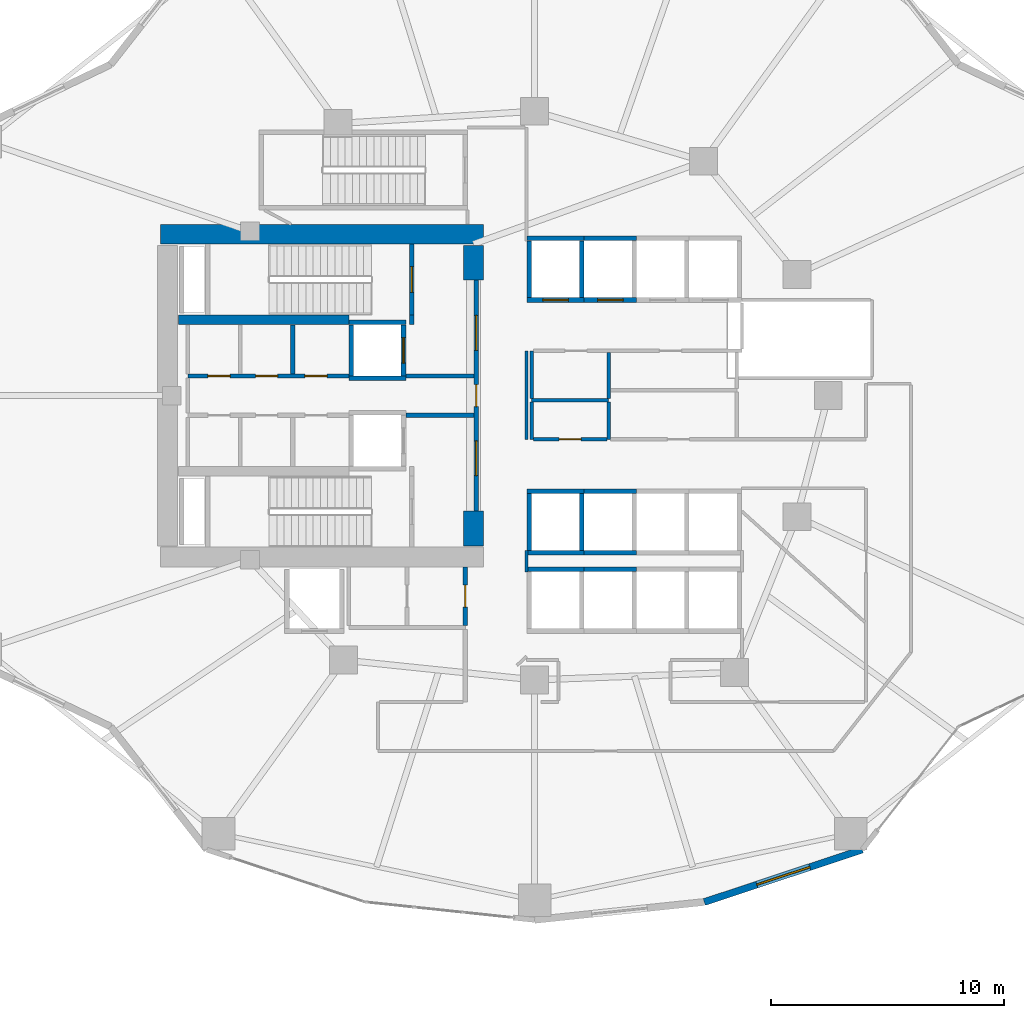
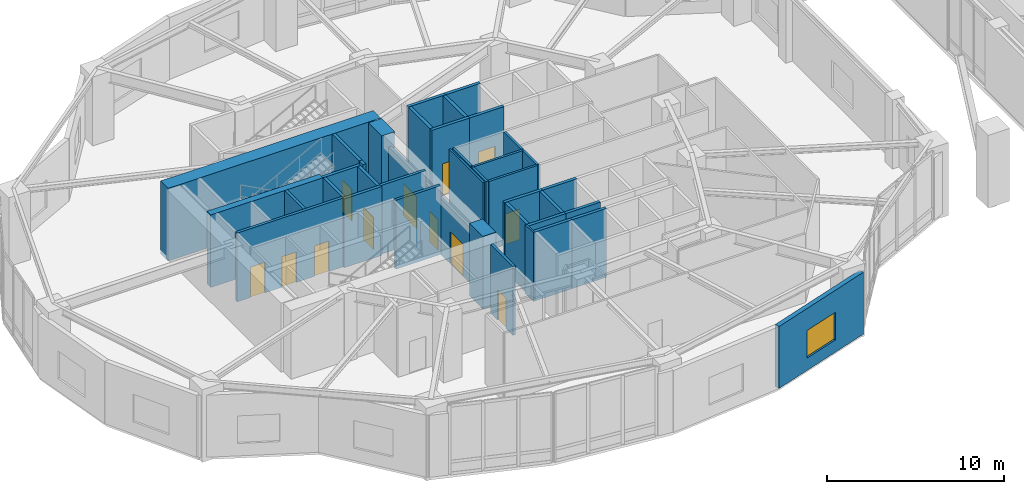
# One storey, part 12 of 21: 39 walls, 12 doors, 1 window, 13 openings.
"""IFC4 building model written with IfcOpenShell, lengths in metres."""

from ifc_helpers import new_model, si_unit, direction, frame, frame_2d, origin, place, context, subcontext, project, spatial, rectangle, extrude, material, layer, layer_set, type_object, element, fill, save


model = new_model("IFC4")

# Units and contexts
model_context = context("Model", 3, precision=1e-05, world=origin(), true_north=direction((0.0, 1.0)))
body_context = subcontext(model_context, "Body", "Model", "MODEL_VIEW")
ifc_project = project(units=[si_unit("LENGTHUNIT", "METRE"), si_unit("AREAUNIT", "SQUARE_METRE"), si_unit("VOLUMEUNIT", "CUBIC_METRE"), si_unit("PLANEANGLEUNIT", "RADIAN"), si_unit("MASSUNIT", "GRAM", prefix="KILO")], contexts=[model_context])

# Site, building, storey
site_placement = place(None, origin())
site = spatial("IfcSite", under=ifc_project, at=site_placement, CompositionType="ELEMENT")
building_placement = place(site_placement, origin())
building = spatial("IfcBuilding", under=site, at=building_placement, Name="Kolvaren Gate Tower and Convention Centre", CompositionType="ELEMENT")
storey_placement = place(building_placement, frame((0.0, 0.0, 5.0)))
storey = spatial("IfcBuildingStorey", under=building, at=storey_placement, Name="L01", CompositionType="ELEMENT", Elevation=5.0)

# Wall
ifc_material_1 = material(Name="Autoclaved Aerated Masonry Blockwork Class 4 (4.0 MPa)", Category="masonry")
ifc_layer_1 = layer(ifc_material_1, 0.179931640625)
ifc_layer_set_1 = layer_set([ifc_layer_1], Name="Autoclaved Aerated Masonry Blockwork Class 4 (4.0 MPa)")
wall_type_1 = type_object("IfcWallType", Name="ARCH-WL-COMP-180", PredefinedType="SOLIDWALL", material=ifc_layer_set_1)
wall_1_placement = place(storey_placement, frame((24.85009765625, 30.0400390625, 0.0), z_axis=(0.0, 0.0, 1.0), x_axis=(0.0, 1.0, 0.0)))
element("IfcWall", 1, at=wall_1_placement, inside=storey, type_object=wall_type_1, Name="Interior Partition WL-L01-INT-002", PredefinedType="SOLIDWALL", context=body_context, shape_type="SweptSolid", body=[
    extrude(rectangle(XDim=0.419921875, YDim=0.179931640625, at=frame_2d((0.2099609375, 0.0))), origin(), (0.0, 0.0, 1.0), 4.739990234375),
])

# Wall, openings, doors
wall_2_placement = place(storey_placement, frame((27.6201171875, 22.050048828125, 0.0), z_axis=(0.0, 0.0, 1.0), x_axis=(0.0, 1.0, 0.0)))
wall_2 = element("IfcWall", 2, at=wall_2_placement, inside=storey, type_object=wall_type_1, Name="Interior Partition WL-L01-INT-003", PredefinedType="SOLIDWALL", context=body_context, shape_type="SweptSolid", body=[
    extrude(rectangle(XDim=9.89990234375, YDim=0.179931640625, at=frame_2d((4.949951171875, 0.0))), origin(), (0.0, 0.0, 1.0), 3.83203125),
])
opening_1_placement = place(wall_2_placement, frame((4.47509765625, 0.0, 0.0)))
opening_1 = element("IfcOpeningElement", 3, at=opening_1_placement, cuts=wall_2, Name="Opening DR-01", PredefinedType="OPENING", context=body_context, shape_type="SweptSolid", body=[
    extrude(rectangle(XDim=0.949951171875, YDim=2.10009765625, at=frame_2d((0.47509765625, 1.050048828125))), frame((0.0, 0.099853515625, 0.0), z_axis=(0.0, -1.0, 0.0), x_axis=(1.0, 0.0, 0.0)), (0.0, 0.0, 1.0), 0.199951171875),
])
opening_2_placement = place(wall_2_placement, frame((6.889892578125, 0.0, 0.0)))
opening_2 = element("IfcOpeningElement", 4, at=opening_2_placement, cuts=wall_2, Name="Opening DL-01", PredefinedType="OPENING", context=body_context, shape_type="SweptSolid", body=[
    extrude(rectangle(XDim=1.5, YDim=2.199951171875, at=frame_2d((0.75, 1.10009765625))), frame((0.0, 0.099853515625, 0.0), z_axis=(0.0, -1.0, 0.0), x_axis=(1.0, 0.0, 0.0)), (0.0, 0.0, 1.0), 0.199951171875),
])
opening_3_placement = place(wall_2_placement, frame((1.510009765625, 0.0, 0.0)))
opening_3 = element("IfcOpeningElement", 5, at=opening_3_placement, cuts=wall_2, Name="Opening DL-01", PredefinedType="OPENING", context=body_context, shape_type="SweptSolid", body=[
    extrude(rectangle(XDim=1.5, YDim=2.199951171875, at=frame_2d((0.75, 1.10009765625))), frame((0.0, 0.099853515625, 0.0), z_axis=(0.0, -1.0, 0.0), x_axis=(1.0, 0.0, 0.0)), (0.0, 0.0, 1.0), 0.199951171875),
])
ifc_material_2 = material(Name="Painted Architectural Steelwork ASTM A500 Grade C 345 MPa", Category="steel")
door_type_1 = type_object("IfcDoorType", Name="ARCH-DR-LOBBY-1500", OperationType="DOUBLE_DOOR_SINGLE_SWING", PredefinedType="DOOR", material=ifc_material_2)
door_1_placement = place(opening_2_placement, origin())
door_1 = element("IfcDoor", 6, at=door_1_placement, inside=storey, type_object=door_type_1, Name="North Firefighting Stair and Lift Lobby Door", OperationType="DOUBLE_DOOR_SINGLE_SWING", OverallHeight=2.199951171875, OverallWidth=1.5, PredefinedType="DOOR", context=body_context, shape_type="SweptSolid", body=[
    extrude(rectangle(XDim=1.5, YDim=2.199951171875, at=frame_2d((0.75, 1.10009765625))), frame((0.0, 0.02490234375, 0.0), z_axis=(0.0, -1.0, 0.0), x_axis=(1.0, 0.0, 0.0)), (0.0, 0.0, 1.0), 0.050048828125),
])
fill(opening_2, door_1)
door_2_placement = place(opening_3_placement, origin())
door_2 = element("IfcDoor", 7, at=door_2_placement, inside=storey, type_object=door_type_1, Name="South Firefighting Stair and Lift Lobby Door", OperationType="DOUBLE_DOOR_SINGLE_SWING", OverallHeight=2.199951171875, OverallWidth=1.5, PredefinedType="DOOR", context=body_context, shape_type="SweptSolid", body=[
    extrude(rectangle(XDim=1.5, YDim=2.199951171875, at=frame_2d((0.75, 1.10009765625))), frame((0.0, 0.02490234375, 0.0), z_axis=(0.0, -1.0, 0.0), x_axis=(1.0, 0.0, 0.0)), (0.0, 0.0, 1.0), 0.050048828125),
])
fill(opening_3, door_2)
door_type_2 = type_object("IfcDoorType", Name="ARCH-DR-RISER-950", OperationType="SINGLE_SWING_RIGHT", PredefinedType="DOOR", material=ifc_material_2)
door_3_placement = place(opening_1_placement, origin())
door_3 = element("IfcDoor", 8, at=door_3_placement, inside=storey, type_object=door_type_2, Name="Central MEP Service Corridor Door", OperationType="SINGLE_SWING_RIGHT", OverallHeight=2.10009765625, OverallWidth=0.949951171875, PredefinedType="DOOR", context=body_context, shape_type="SweptSolid", body=[
    extrude(rectangle(XDim=0.949951171875, YDim=2.10009765625, at=frame_2d((0.47509765625, 1.050048828125))), frame((0.0, 0.02490234375, 0.0), z_axis=(0.0, -1.0, 0.0), x_axis=(1.0, 0.0, 0.0)), (0.0, 0.0, 1.0), 0.050048828125),
])
fill(opening_1, door_3)

wall_3_placement = place(storey_placement, frame((15.25, 27.840087890625, 0.0), z_axis=(0.0, 0.0, 1.0), x_axis=(1.0, 0.0, 0.0)))
wall_3 = element("IfcWall", 9, at=wall_3_placement, inside=storey, type_object=wall_type_1, Name="Interior Partition WL-L01-INT-004", PredefinedType="SOLIDWALL", context=body_context, shape_type="SweptSolid", body=[
    extrude(rectangle(XDim=6.89990234375, YDim=0.179931640625, at=frame_2d((3.449951171875, 0.0))), origin(), (0.0, 0.0, 1.0), 4.739990234375),
])
opening_4_placement = place(wall_3_placement, frame((5.02001953125, 0.0, 0.0)))
opening_4 = element("IfcOpeningElement", 10, at=opening_4_placement, cuts=wall_3, Name="Opening DR-01", PredefinedType="OPENING", context=body_context, shape_type="SweptSolid", body=[
    extrude(rectangle(XDim=0.949951171875, YDim=2.10009765625, at=frame_2d((0.47509765625, 1.050048828125))), frame((0.0, 0.099853515625, 0.0), z_axis=(0.0, -1.0, 0.0), x_axis=(1.0, 0.0, 0.0)), (0.0, 0.0, 1.0), 0.199951171875),
])
opening_5_placement = place(wall_3_placement, frame((0.85498046875, 0.0, 0.0)))
opening_5 = element("IfcOpeningElement", 11, at=opening_5_placement, cuts=wall_3, Name="Opening DR-01", PredefinedType="OPENING", context=body_context, shape_type="SweptSolid", body=[
    extrude(rectangle(XDim=0.949951171875, YDim=2.10009765625, at=frame_2d((0.47509765625, 1.050048828125))), frame((0.0, 0.099853515625, 0.0), z_axis=(0.0, -1.0, 0.0), x_axis=(1.0, 0.0, 0.0)), (0.0, 0.0, 1.0), 0.199951171875),
])
opening_6_placement = place(wall_3_placement, frame((2.89990234375, 0.0, 0.0)))
opening_6 = element("IfcOpeningElement", 12, at=opening_6_placement, cuts=wall_3, Name="Opening DR-01", PredefinedType="OPENING", context=body_context, shape_type="SweptSolid", body=[
    extrude(rectangle(XDim=0.949951171875, YDim=2.10009765625, at=frame_2d((0.47509765625, 1.050048828125))), frame((0.0, 0.099853515625, 0.0), z_axis=(0.0, -1.0, 0.0), x_axis=(1.0, 0.0, 0.0)), (0.0, 0.0, 1.0), 0.199951171875),
])
door_4_placement = place(opening_4_placement, origin())
door_4 = element("IfcDoor", 13, at=door_4_placement, inside=storey, type_object=door_type_2, Name="Electrical Switchgear Closet Door", OperationType="SINGLE_SWING_LEFT", OverallHeight=2.10009765625, OverallWidth=0.949951171875, PredefinedType="DOOR", context=body_context, shape_type="SweptSolid", body=[
    extrude(rectangle(XDim=0.949951171875, YDim=2.10009765625, at=frame_2d((0.47509765625, 1.050048828125))), frame((0.0, 0.02490234375, 0.0), z_axis=(0.0, -1.0, 0.0), x_axis=(1.0, 0.0, 0.0)), (0.0, 0.0, 1.0), 0.050048828125),
])
fill(opening_4, door_4)
door_5_placement = place(opening_5_placement, origin())
door_5 = element("IfcDoor", 14, at=door_5_placement, inside=storey, type_object=door_type_2, Name="Staff Accessible WC Door", OperationType="SINGLE_SWING_LEFT", OverallHeight=2.10009765625, OverallWidth=0.949951171875, PredefinedType="DOOR", context=body_context, shape_type="SweptSolid", body=[
    extrude(rectangle(XDim=0.949951171875, YDim=2.10009765625, at=frame_2d((0.47509765625, 1.050048828125))), frame((0.0, 0.02490234375, 0.0), z_axis=(0.0, -1.0, 0.0), x_axis=(1.0, 0.0, 0.0)), (0.0, 0.0, 1.0), 0.050048828125),
])
fill(opening_5, door_5)
door_6_placement = place(opening_6_placement, origin())
door_6 = element("IfcDoor", 15, at=door_6_placement, inside=storey, type_object=door_type_2, Name="Housekeeping Sink Closet Door", OperationType="SINGLE_SWING_RIGHT", OverallHeight=2.10009765625, OverallWidth=0.949951171875, PredefinedType="DOOR", context=body_context, shape_type="SweptSolid", body=[
    extrude(rectangle(XDim=0.949951171875, YDim=2.10009765625, at=frame_2d((0.47509765625, 1.050048828125))), frame((0.0, 0.02490234375, 0.0), z_axis=(0.0, -1.0, 0.0), x_axis=(1.0, 0.0, 0.0)), (0.0, 0.0, 1.0), 0.050048828125),
])
fill(opening_6, door_6)

# Walls
for number, where, z_axis, x_axis, name in (
    (16, (24.60009765625, 27.840087890625, 0.0), (0.0, 0.0, 1.0), (1.0, 0.0, 0.0), "Interior Partition WL-L01-INT-004 (2)"),
    (17, (24.60009765625, 26.159912109375, 0.0), (0.0, 0.0, 1.0), (1.0, 0.0, 0.0), "Interior Partition WL-L01-INT-005 (2)"),
):
    element("IfcWall", number, at=place(storey_placement, frame(where, z_axis=z_axis, x_axis=x_axis)), inside=storey, type_object=wall_type_1, Name=name, PredefinedType="SOLIDWALL", context=body_context, shape_type="SweptSolid", body=[
        extrude(rectangle(XDim=2.927978515625, YDim=0.179931640625, at=frame_2d((1.4638671875, 0.0))), origin(), (0.0, 0.0, 1.0), 4.739990234375),
    ])
wall_4_placement = place(storey_placement, frame((19.75, 27.931884765625, 0.0), z_axis=(0.0, 0.0, 1.0), x_axis=(0.0, 1.0, 0.0)))
element("IfcWall", 18, at=wall_4_placement, inside=storey, type_object=wall_type_1, Name="Interior Partition WL-L01-INT-008", PredefinedType="SOLIDWALL", context=body_context, shape_type="SweptSolid", body=[
    extrude(rectangle(XDim=2.106201171875, YDim=0.179931640625, at=frame_2d((1.05322265625, 0.0))), origin(), (0.0, 0.0, 1.0), 4.739990234375),
])

# Wall, opening, door
wall_5_placement = place(storey_placement, frame((27.14990234375, 17.14208984375, 0.0), z_axis=(0.0, 0.0, 1.0), x_axis=(0.0, 1.0, 0.0)))
wall_5 = element("IfcWall", 19, at=wall_5_placement, inside=storey, type_object=wall_type_1, Name="Interior Partition WL-L01-INT-014 (2)", PredefinedType="SOLIDWALL", context=body_context, shape_type="SweptSolid", body=[
    extrude(rectangle(XDim=2.505859375, YDim=0.179931640625, at=frame_2d((1.2529296875, 0.0))), origin(), (0.0, 0.0, 1.0), 4.739990234375),
])
opening_7_placement = place(wall_5_placement, frame((0.778076171875, 0.0, 0.0)))
opening_7 = element("IfcOpeningElement", 20, at=opening_7_placement, cuts=wall_5, Name="Opening DR-01", PredefinedType="OPENING", context=body_context, shape_type="SweptSolid", body=[
    extrude(rectangle(XDim=0.949951171875, YDim=2.10009765625, at=frame_2d((0.47509765625, 1.050048828125))), frame((0.0, 0.099853515625, 0.0), z_axis=(0.0, -1.0, 0.0), x_axis=(1.0, 0.0, 0.0)), (0.0, 0.0, 1.0), 0.199951171875),
])
door_7_placement = place(opening_7_placement, origin())
door_7 = element("IfcDoor", 21, at=door_7_placement, inside=storey, type_object=door_type_2, Name="Metering Switch Room Door", OperationType="SINGLE_SWING_LEFT", OverallHeight=2.10009765625, OverallWidth=0.949951171875, PredefinedType="DOOR", context=body_context, shape_type="SweptSolid", body=[
    extrude(rectangle(XDim=0.949951171875, YDim=2.10009765625, at=frame_2d((0.47509765625, 1.050048828125))), frame((0.0, 0.02490234375, 0.0), z_axis=(0.0, -1.0, 0.0), x_axis=(1.0, 0.0, 0.0)), (0.0, 0.0, 1.0), 0.050048828125),
])
fill(opening_7, door_7)

# Walls
ifc_material_3 = material(Name="Fire-Rated Acoustic Gypsum Stud Partition", Category="gypsum")
ifc_layer_2 = layer(ifc_material_3, 0.1201171875)
ifc_layer_set_2 = layer_set([ifc_layer_2], Name="Fire-Rated Acoustic Gypsum Stud Partition")
wall_type_2 = type_object("IfcWallType", Name="ARCH-WL-PART-120", PredefinedType="PARTITIONING", material=ifc_layer_set_2)
wall_6_placement = place(storey_placement, frame((29.780029296875, 19.43994140625, 0.0), z_axis=(0.0, 0.0, 1.0), x_axis=(0.0, 1.0, 0.0)))
element("IfcWall", 22, at=wall_6_placement, inside=storey, type_object=wall_type_2, Name="Interior Partition WL-L01-INT-022", PredefinedType="PARTITIONING", context=body_context, shape_type="SweptSolid", body=[
    extrude(rectangle(XDim=0.920166015625, YDim=0.1201171875, at=frame_2d((0.4599609375, 0.0))), origin(), (0.0, 0.0, 1.0), 4.739990234375),
])
wall_7_placement = place(storey_placement, frame((29.780029296875, 25.1201171875, 0.0), z_axis=(0.0, 0.0, 1.0), x_axis=(0.0, 1.0, 0.0)))
element("IfcWall", 23, at=wall_7_placement, inside=storey, type_object=wall_type_2, Name="Interior Partition WL-L01-INT-023", PredefinedType="PARTITIONING", context=body_context, shape_type="SweptSolid", body=[
    extrude(rectangle(XDim=3.7998046875, YDim=0.1201171875, at=frame_2d((1.89990234375, 0.0))), origin(), (0.0, 0.0, 1.0), 4.739990234375),
])
ifc_layer_3 = layer(ifc_material_1, 0.199951171875)
ifc_layer_set_3 = layer_set([ifc_layer_3], Name="Autoclaved Aerated Masonry Blockwork Class 4 (4.0 MPa)")
wall_type_3 = type_object("IfcWallType", Name="ARCH-WL-SHAFT-200", PredefinedType="SOLIDWALL", material=ifc_layer_set_3)
for number, where, z_axis, x_axis, name in (
    (24, (22.14990234375, 30.139892578125, 0.0), (0.0, 0.0, 1.0), (1.0, 0.0, 0.0), "Elevator FF-01 L01 Fire Shaft Wall N"),
    (25, (22.14990234375, 27.739990234375, 0.0), (0.0, 0.0, 1.0), (1.0, 0.0, 0.0), "Elevator FF-01 L01 Fire Shaft Wall S"),
):
    element("IfcWall", number, at=place(storey_placement, frame(where, z_axis=z_axis, x_axis=x_axis)), inside=storey, type_object=wall_type_3, Name=name, PredefinedType="SOLIDWALL", context=body_context, shape_type="SweptSolid", body=[
        extrude(rectangle(XDim=2.4501953125, YDim=0.199951171875, at=frame_2d((1.22509765625, 0.0))), origin(), (0.0, 0.0, 1.0), 4.739990234375),
    ])
wall_8_placement = place(storey_placement, frame((22.25, 27.85009765625, 0.0), z_axis=(0.0, 0.0, 1.0), x_axis=(0.0, 1.0, 0.0)))
element("IfcWall", 26, at=wall_8_placement, inside=storey, type_object=wall_type_3, Name="Elevator FF-01 L01 Fire Shaft Wall W", PredefinedType="SOLIDWALL", context=body_context, shape_type="SweptSolid", body=[
    extrude(rectangle(XDim=2.179931640625, YDim=0.199951171875, at=frame_2d((1.08984375, 0.0))), origin(), (0.0, 0.0, 1.0), 4.739990234375),
])

# Wall, opening, door
wall_9_placement = place(storey_placement, frame((24.5, 27.85009765625, 0.0), z_axis=(0.0, 0.0, 1.0), x_axis=(0.0, 1.0, 0.0)))
wall_9 = element("IfcWall", 27, at=wall_9_placement, inside=storey, type_object=wall_type_3, Name="Elevator FF-01 L01 Fire Shaft Wall E", PredefinedType="SOLIDWALL", context=body_context, shape_type="SweptSolid", body=[
    extrude(rectangle(XDim=2.179931640625, YDim=0.199951171875, at=frame_2d((1.08984375, 0.0))), origin(), (0.0, 0.0, 1.0), 4.739990234375),
])
opening_8_placement = place(wall_9_placement, frame((0.5400390625, 0.0, 0.0)))
opening_8 = element("IfcOpeningElement", 28, at=opening_8_placement, cuts=wall_9, Name="Opening LD", PredefinedType="OPENING", context=body_context, shape_type="SweptSolid", body=[
    extrude(rectangle(XDim=1.10009765625, YDim=2.199951171875, at=frame_2d((0.550048828125, 1.10009765625))), frame((0.0, 0.10986328125, 0.0), z_axis=(0.0, -1.0, 0.0), x_axis=(1.0, 0.0, 0.0)), (0.0, 0.0, 1.0), 0.219970703125),
])
ifc_material_4 = material(Name="Brushed Stainless Steel Grade 316L", Category="steel")
door_type_3 = type_object("IfcDoorType", Name="ARCH-DR-LIFT-1100", OperationType="SLIDING_TO_LEFT", PredefinedType="DOOR", material=ifc_material_4)
door_8_placement = place(opening_8_placement, origin())
door_8 = element("IfcDoor", 29, at=door_8_placement, inside=storey, type_object=door_type_3, Name="Elevator FF-01 L01 Sliding Landing Door", OperationType="SLIDING_TO_LEFT", OverallHeight=2.199951171875, OverallWidth=1.10009765625, PredefinedType="DOOR", context=body_context, shape_type="SweptSolid", body=[
    extrude(rectangle(XDim=1.10009765625, YDim=2.199951171875, at=frame_2d((0.550048828125, 1.10009765625))), frame((0.0, 0.02490234375, 0.0), z_axis=(0.0, -1.0, 0.0), x_axis=(1.0, 0.0, 0.0)), (0.0, 0.0, 1.0), 0.050048828125),
])
fill(opening_8, door_8)

# Wall
wall_10_placement = place(storey_placement, frame((29.800048828125, 33.75, 0.0), z_axis=(0.0, 0.0, 1.0), x_axis=(1.0, 0.0, 0.0)))
element("IfcWall", 30, at=wall_10_placement, inside=storey, type_object=wall_type_3, Name="Elevator PL-01 L01 Fire Shaft Wall N", PredefinedType="SOLIDWALL", context=body_context, shape_type="SweptSolid", body=[
    extrude(rectangle(XDim=2.449951171875, YDim=0.199951171875, at=frame_2d((1.22509765625, 0.0))), origin(), (0.0, 0.0, 1.0), 4.739990234375),
])

# Wall, opening, door
wall_11_placement = place(storey_placement, frame((29.800048828125, 31.10009765625, 0.0), z_axis=(0.0, 0.0, 1.0), x_axis=(1.0, 0.0, 0.0)))
wall_11 = element("IfcWall", 31, at=wall_11_placement, inside=storey, type_object=wall_type_3, Name="Elevator PL-01 L01 Fire Shaft Wall S", PredefinedType="SOLIDWALL", context=body_context, shape_type="SweptSolid", body=[
    extrude(rectangle(XDim=2.449951171875, YDim=0.199951171875, at=frame_2d((1.22509765625, 0.0))), origin(), (0.0, 0.0, 1.0), 4.739990234375),
])
opening_9_placement = place(wall_11_placement, frame((0.675048828125, 0.0, 0.0)))
opening_9 = element("IfcOpeningElement", 32, at=opening_9_placement, cuts=wall_11, Name="Opening LD", PredefinedType="OPENING", context=body_context, shape_type="SweptSolid", body=[
    extrude(rectangle(XDim=1.10009765625, YDim=2.199951171875, at=frame_2d((0.550048828125, 1.10009765625))), frame((0.0, 0.10986328125, 0.0), z_axis=(0.0, -1.0, 0.0), x_axis=(1.0, 0.0, 0.0)), (0.0, 0.0, 1.0), 0.219970703125),
])
door_9_placement = place(opening_9_placement, origin())
door_9 = element("IfcDoor", 33, at=door_9_placement, inside=storey, type_object=door_type_3, Name="Elevator PL-01 L01 Sliding Landing Door", OperationType="SLIDING_TO_LEFT", OverallHeight=2.199951171875, OverallWidth=1.10009765625, PredefinedType="DOOR", context=body_context, shape_type="SweptSolid", body=[
    extrude(rectangle(XDim=1.10009765625, YDim=2.199951171875, at=frame_2d((0.550048828125, 1.10009765625))), frame((0.0, 0.02490234375, 0.0), z_axis=(0.0, -1.0, 0.0), x_axis=(1.0, 0.0, 0.0)), (0.0, 0.0, 1.0), 0.050048828125),
])
fill(opening_9, door_9)

# Walls
for number, where, z_axis, x_axis, name in (
    (34, (29.89990234375, 31.2099609375, 0.0), (0.0, 0.0, 1.0), (0.0, 1.0, 0.0), "Elevator PL-01 L01 Fire Shaft Wall W"),
    (35, (32.14990234375, 31.2099609375, 0.0), (0.0, 0.0, 1.0), (0.0, 1.0, 0.0), "Elevator PL-01 L01 Fire Shaft Wall E"),
):
    element("IfcWall", number, at=place(storey_placement, frame(where, z_axis=z_axis, x_axis=x_axis)), inside=storey, type_object=wall_type_3, Name=name, PredefinedType="SOLIDWALL", context=body_context, shape_type="SweptSolid", body=[
        extrude(rectangle(XDim=2.429931640625, YDim=0.199951171875, at=frame_2d((1.21484375, 0.0))), origin(), (0.0, 0.0, 1.0), 4.739990234375),
    ])
wall_12_placement = place(storey_placement, frame((32.25, 33.75, 0.0), z_axis=(0.0, 0.0, 1.0), x_axis=(1.0, 0.0, 0.0)))
element("IfcWall", 36, at=wall_12_placement, inside=storey, type_object=wall_type_3, Name="Elevator PL-02 L01 Fire Shaft Wall N", PredefinedType="SOLIDWALL", context=body_context, shape_type="SweptSolid", body=[
    extrude(rectangle(XDim=2.25, YDim=0.199951171875, at=frame_2d((1.125, 0.0))), origin(), (0.0, 0.0, 1.0), 4.739990234375),
])

# Wall, opening, door
wall_13_placement = place(storey_placement, frame((32.25, 31.10009765625, 0.0), z_axis=(0.0, 0.0, 1.0), x_axis=(1.0, 0.0, 0.0)))
wall_13 = element("IfcWall", 37, at=wall_13_placement, inside=storey, type_object=wall_type_3, Name="Elevator PL-02 L01 Fire Shaft Wall S", PredefinedType="SOLIDWALL", context=body_context, shape_type="SweptSolid", body=[
    extrude(rectangle(XDim=2.25, YDim=0.199951171875, at=frame_2d((1.125, 0.0))), origin(), (0.0, 0.0, 1.0), 4.739990234375),
])
opening_10_placement = place(wall_13_placement, frame((0.574951171875, 0.0, 0.0)))
opening_10 = element("IfcOpeningElement", 38, at=opening_10_placement, cuts=wall_13, Name="Opening LD", PredefinedType="OPENING", context=body_context, shape_type="SweptSolid", body=[
    extrude(rectangle(XDim=1.10009765625, YDim=2.199951171875, at=frame_2d((0.550048828125, 1.10009765625))), frame((0.0, 0.10986328125, 0.0), z_axis=(0.0, -1.0, 0.0), x_axis=(1.0, 0.0, 0.0)), (0.0, 0.0, 1.0), 0.219970703125),
])
door_10_placement = place(opening_10_placement, origin())
door_10 = element("IfcDoor", 39, at=door_10_placement, inside=storey, type_object=door_type_3, Name="Elevator PL-02 L01 Sliding Landing Door", OperationType="SLIDING_TO_LEFT", OverallHeight=2.199951171875, OverallWidth=1.10009765625, PredefinedType="DOOR", context=body_context, shape_type="SweptSolid", body=[
    extrude(rectangle(XDim=1.10009765625, YDim=2.199951171875, at=frame_2d((0.550048828125, 1.10009765625))), frame((0.0, 0.02490234375, 0.0), z_axis=(0.0, -1.0, 0.0), x_axis=(1.0, 0.0, 0.0)), (0.0, 0.0, 1.0), 0.050048828125),
])
fill(opening_10, door_10)

# Walls
wall_14_placement = place(storey_placement, frame((29.800048828125, 19.550048828125, 0.0), z_axis=(0.0, 0.0, 1.0), x_axis=(1.0, 0.0, 0.0)))
element("IfcWall", 40, at=wall_14_placement, inside=storey, type_object=wall_type_3, Name="Elevator PL-05 L01 Fire Shaft Wall N", PredefinedType="SOLIDWALL", context=body_context, shape_type="SweptSolid", body=[
    extrude(rectangle(XDim=2.449951171875, YDim=0.199951171875, at=frame_2d((1.22509765625, 0.0))), origin(), (0.0, 0.0, 1.0), 4.739990234375),
])
wall_15_placement = place(storey_placement, frame((32.25, 19.550048828125, 0.0), z_axis=(0.0, 0.0, 1.0), x_axis=(1.0, 0.0, 0.0)))
element("IfcWall", 41, at=wall_15_placement, inside=storey, type_object=wall_type_3, Name="Elevator PL-06 L01 Fire Shaft Wall N", PredefinedType="SOLIDWALL", context=body_context, shape_type="SweptSolid", body=[
    extrude(rectangle(XDim=2.25, YDim=0.199951171875, at=frame_2d((1.125, 0.0))), origin(), (0.0, 0.0, 1.0), 4.739990234375),
])
for number, where, z_axis, x_axis, name in (
    (42, (29.800048828125, 22.89990234375, 0.0), (0.0, 0.0, 1.0), (1.0, 0.0, 0.0), "Elevator PL-09 L01 Fire Shaft Wall N"),
    (43, (29.800048828125, 20.25, 0.0), (0.0, 0.0, 1.0), (1.0, 0.0, 0.0), "Elevator PL-09 L01 Fire Shaft Wall S"),
):
    element("IfcWall", number, at=place(storey_placement, frame(where, z_axis=z_axis, x_axis=x_axis)), inside=storey, type_object=wall_type_3, Name=name, PredefinedType="SOLIDWALL", context=body_context, shape_type="SweptSolid", body=[
        extrude(rectangle(XDim=2.449951171875, YDim=0.199951171875, at=frame_2d((1.22509765625, 0.0))), origin(), (0.0, 0.0, 1.0), 4.739990234375),
    ])
for number, where, z_axis, x_axis, name in (
    (44, (29.89990234375, 20.360107421875, 0.0), (0.0, 0.0, 1.0), (0.0, 1.0, 0.0), "Elevator PL-09 L01 Fire Shaft Wall W"),
    (45, (32.14990234375, 20.360107421875, 0.0), (0.0, 0.0, 1.0), (0.0, 1.0, 0.0), "Elevator PL-09 L01 Fire Shaft Wall E"),
):
    element("IfcWall", number, at=place(storey_placement, frame(where, z_axis=z_axis, x_axis=x_axis)), inside=storey, type_object=wall_type_3, Name=name, PredefinedType="SOLIDWALL", context=body_context, shape_type="SweptSolid", body=[
        extrude(rectangle(XDim=2.429931640625, YDim=0.199951171875, at=frame_2d((1.21484375, 0.0))), origin(), (0.0, 0.0, 1.0), 4.739990234375),
    ])
for number, where, z_axis, x_axis, name in (
    (46, (32.25, 22.89990234375, 0.0), (0.0, 0.0, 1.0), (1.0, 0.0, 0.0), "Elevator PL-10 L01 Fire Shaft Wall N"),
    (47, (32.25, 20.25, 0.0), (0.0, 0.0, 1.0), (1.0, 0.0, 0.0), "Elevator PL-10 L01 Fire Shaft Wall S"),
):
    element("IfcWall", number, at=place(storey_placement, frame(where, z_axis=z_axis, x_axis=x_axis)), inside=storey, type_object=wall_type_3, Name=name, PredefinedType="SOLIDWALL", context=body_context, shape_type="SweptSolid", body=[
        extrude(rectangle(XDim=2.25, YDim=0.199951171875, at=frame_2d((1.125, 0.0))), origin(), (0.0, 0.0, 1.0), 4.739990234375),
    ])

# Wall, opening, window
ifc_material_5 = material(Name="Piedmont Cream Honed Limestone Cladding", Category="masonry")
ifc_layer_4 = layer(ifc_material_5, 0.300048828125)
ifc_layer_set_4 = layer_set([ifc_layer_4], Name="Piedmont Cream Honed Limestone Cladding")
wall_type_4 = type_object("IfcWallType", Name="ARCH-WL-STONE-300", PredefinedType="SOLIDWALL", material=ifc_layer_set_4)
wall_16_placement = place(storey_placement, frame((37.404296875, 5.2666015625, 0.0), z_axis=(0.0, 0.0, 1.0), x_axis=(0.949238715533, 0.31455661006, 0.0)))
wall_16 = element("IfcWall", 48, at=wall_16_placement, inside=storey, type_object=wall_type_4, Name="Tower L01 Honed Stone Spandrel Wall EW-19", PredefinedType="SOLIDWALL", context=body_context, shape_type="SweptSolid", body=[
    extrude(rectangle(XDim=7.14599609375, YDim=0.300048828125, at=frame_2d((3.572998046875, 0.0))), origin(), (0.0, 0.0, 1.0), 4.262939453125),
])
opening_11_placement = place(wall_16_placement, frame((2.373046875, 0.0, 0.85009765625)))
opening_11 = element("IfcOpeningElement", 49, at=opening_11_placement, cuts=wall_16, Name="Opening W-01", PredefinedType="OPENING", context=body_context, shape_type="SweptSolid", body=[
    extrude(rectangle(XDim=2.39990234375, YDim=1.89990234375, at=frame_2d((1.199951171875, 0.949951171875))), frame((0.0, 0.159912109375, 0.0), z_axis=(0.0, -1.0, 0.0), x_axis=(1.0, 0.0, 0.0)), (0.0, 0.0, 1.0), 0.320068359375),
])
ifc_material_6 = material(Name="Low-E Triple Insulated Glazing Unit 44 mm", Category="glass")
window_type = type_object("IfcWindowType", Name="ARCH-WN-OFF-2400", PartitioningType="SINGLE_PANEL", PredefinedType="WINDOW", material=ifc_material_6)
window_placement = place(opening_11_placement, origin())
window = element("IfcWindow", 50, at=window_placement, inside=storey, type_object=window_type, Name="Tower L01 Punched Stone Facade Window W-19", OverallHeight=1.89990234375, OverallWidth=2.39990234375, PartitioningType="SINGLE_PANEL", PredefinedType="WINDOW", context=body_context, shape_type="SweptSolid", body=[
    extrude(rectangle(XDim=2.39990234375, YDim=1.89990234375, at=frame_2d((1.199951171875, 0.949951171875))), frame((0.0, 0.030029296875, 0.0), z_axis=(0.0, -1.0, 0.0), x_axis=(1.0, 0.0, 0.0)), (0.0, 0.0, 1.0), 0.06005859375),
])
fill(opening_11, window)

# Walls
ifc_material_7 = material(Name="Moisture-Resistant Cement-Board Acoustic Partition", Category="gypsum")
ifc_layer_5 = layer(ifc_material_7, 0.14990234375)
ifc_layer_set_5 = layer_set([ifc_layer_5], Name="Moisture-Resistant Cement-Board Acoustic Partition")
wall_type_5 = type_object("IfcWallType", Name="ARCH-WL-WET-150", PredefinedType="PARTITIONING", material=ifc_layer_set_5)
wall_17_placement = place(storey_placement, frame((30.0, 26.800048828125, 0.0), z_axis=(0.0, 0.0, 1.0), x_axis=(1.0, 0.0, 0.0)))
element("IfcWall", 51, at=wall_17_placement, inside=storey, type_object=wall_type_5, Name="Interior Partition WL-L01-INT-015", PredefinedType="PARTITIONING", context=body_context, shape_type="SweptSolid", body=[
    extrude(rectangle(XDim=3.300048828125, YDim=0.14990234375, at=frame_2d((1.64990234375, 0.0))), origin(), (0.0, 0.0, 1.0), 4.739990234375),
])
wall_18_placement = place(storey_placement, frame((30.0, 25.1201171875, 0.0), z_axis=(0.0, 0.0, 1.0), x_axis=(0.0, 1.0, 0.0)))
element("IfcWall", 52, at=wall_18_placement, inside=storey, type_object=wall_type_5, Name="Interior Partition WL-L01-INT-016", PredefinedType="PARTITIONING", context=body_context, shape_type="SweptSolid", body=[
    extrude(rectangle(XDim=1.602783203125, YDim=0.14990234375, at=frame_2d((0.80126953125, 0.0))), origin(), (0.0, 0.0, 1.0), 4.739990234375),
])
wall_19_placement = place(storey_placement, frame((30.0, 26.876953125, 0.0), z_axis=(0.0, 0.0, 1.0), x_axis=(0.0, 1.0, 0.0)))
element("IfcWall", 53, at=wall_19_placement, inside=storey, type_object=wall_type_5, Name="Interior Partition WL-L01-INT-016 (2)", PredefinedType="PARTITIONING", context=body_context, shape_type="SweptSolid", body=[
    extrude(rectangle(XDim=2.04296875, YDim=0.14990234375, at=frame_2d((1.021484375, 0.0))), origin(), (0.0, 0.0, 1.0), 4.739990234375),
])
wall_20_placement = place(storey_placement, frame((33.300048828125, 25.1201171875, 0.0), z_axis=(0.0, 0.0, 1.0), x_axis=(0.0, 1.0, 0.0)))
element("IfcWall", 54, at=wall_20_placement, inside=storey, type_object=wall_type_5, Name="Interior Partition WL-L01-INT-018", PredefinedType="PARTITIONING", context=body_context, shape_type="SweptSolid", body=[
    extrude(rectangle(XDim=1.602783203125, YDim=0.14990234375, at=frame_2d((0.80126953125, 0.0))), origin(), (0.0, 0.0, 1.0), 4.739990234375),
])
wall_21_placement = place(storey_placement, frame((33.300048828125, 26.876953125, 0.0), z_axis=(0.0, 0.0, 1.0), x_axis=(0.0, 1.0, 0.0)))
element("IfcWall", 55, at=wall_21_placement, inside=storey, type_object=wall_type_5, Name="Interior Partition WL-L01-INT-018 (2)", PredefinedType="PARTITIONING", context=body_context, shape_type="SweptSolid", body=[
    extrude(rectangle(XDim=1.966064453125, YDim=0.14990234375, at=frame_2d((0.98291015625, 0.0))), origin(), (0.0, 0.0, 1.0), 4.739990234375),
])

# Wall, opening, door
wall_22_placement = place(storey_placement, frame((30.076904296875, 25.1201171875, 0.0), z_axis=(0.0, 0.0, 1.0), x_axis=(1.0, 0.0, 0.0)))
wall_22 = element("IfcWall", 56, at=wall_22_placement, inside=storey, type_object=wall_type_5, Name="Interior Partition WL-L01-INT-019", PredefinedType="PARTITIONING", context=body_context, shape_type="SweptSolid", body=[
    extrude(rectangle(XDim=3.14599609375, YDim=0.14990234375, at=frame_2d((1.572998046875, 0.0))), origin(), (0.0, 0.0, 1.0), 4.739990234375),
])
opening_12_placement = place(wall_22_placement, frame((1.097900390625, 0.0, 0.0)))
opening_12 = element("IfcOpeningElement", 57, at=opening_12_placement, cuts=wall_22, Name="Opening DR-01", PredefinedType="OPENING", context=body_context, shape_type="SweptSolid", body=[
    extrude(rectangle(XDim=0.949951171875, YDim=2.10009765625, at=frame_2d((0.47509765625, 1.050048828125))), frame((0.0, 0.0849609375, 0.0), z_axis=(0.0, -1.0, 0.0), x_axis=(1.0, 0.0, 0.0)), (0.0, 0.0, 1.0), 0.169921875),
])
door_11_placement = place(opening_12_placement, origin())
door_11 = element("IfcDoor", 58, at=door_11_placement, inside=storey, type_object=door_type_2, Name="South Visitor Washroom Door", OperationType="SINGLE_SWING_LEFT", OverallHeight=2.10009765625, OverallWidth=0.949951171875, PredefinedType="DOOR", context=body_context, shape_type="SweptSolid", body=[
    extrude(rectangle(XDim=0.949951171875, YDim=2.10009765625, at=frame_2d((0.47509765625, 1.050048828125))), frame((0.0, 0.02490234375, 0.0), z_axis=(0.0, -1.0, 0.0), x_axis=(1.0, 0.0, 0.0)), (0.0, 0.0, 1.0), 0.050048828125),
])
fill(opening_12, door_11)

# Walls
ifc_material_8 = material(Name="Concrete C50/60", Category="concrete")
ifc_layer_6 = layer(ifc_material_8, 0.419921875)
ifc_layer_set_6 = layer_set([ifc_layer_6], Name="Concrete C50/60")
wall_type_6 = type_object("IfcWallType", Name="STR-WL-CONV-420", PredefinedType="SHEAR", material=ifc_layer_set_6)
wall_23_placement = place(storey_placement, frame((14.85009765625, 30.25, -0.260009765625), z_axis=(0.0, 0.0, 1.0), x_axis=(1.0, 0.0, 0.0)))
element("IfcWall", 59, at=wall_23_placement, inside=storey, type_object=wall_type_6, Name="Tower L01 Offset Core Shear Wall WN", PredefinedType="SHEAR", context=body_context, shape_type="SweptSolid", body=[
    extrude(rectangle(XDim=7.2998046875, YDim=0.419921875, at=frame_2d((3.64990234375, 0.0))), origin(), (0.0, 0.0, 1.0), 5.0),
])
ifc_material_9 = material(Name="Concrete C70/85", Category="concrete")
ifc_layer_7 = layer(ifc_material_9, 0.85009765625)
ifc_layer_set_7 = layer_set([ifc_layer_7], Name="Concrete C70/85")
wall_type_7 = type_object("IfcWallType", Name="STR-WL-CORE-850", PredefinedType="SHEAR", material=ifc_layer_set_7)
wall_24_placement = place(storey_placement, frame((14.074951171875, 33.925048828125, -0.260009765625), z_axis=(0.0, 0.0, 1.0), x_axis=(1.0, 0.0, 0.0)))
element("IfcWall", 60, at=wall_24_placement, inside=storey, type_object=wall_type_7, Name="Tower L01 Offset Core Shear Wall N", PredefinedType="SHEAR", context=body_context, shape_type="SweptSolid", body=[
    extrude(rectangle(XDim=13.85009765625, YDim=0.85009765625, at=frame_2d((6.925048828125, 0.0))), origin(), (0.0, 0.0, 1.0), 5.0),
])
for number, where, z_axis, x_axis, name in (
    (61, (27.5, 31.949951171875, -0.260009765625), (0.0, 0.0, 1.0), (0.0, 1.0, 0.0), "Tower L01 Offset Core Shear Wall EN"),
    (62, (27.5, 20.550048828125, -0.260009765625), (0.0, 0.0, 1.0), (0.0, 1.0, 0.0), "Tower L01 Offset Core Shear Wall ES"),
):
    element("IfcWall", number, at=place(storey_placement, frame(where, z_axis=z_axis, x_axis=x_axis)), inside=storey, type_object=wall_type_7, Name=name, PredefinedType="SHEAR", context=body_context, shape_type="SweptSolid", body=[
        extrude(rectangle(XDim=1.5, YDim=0.85009765625, at=frame_2d((0.75, 0.0))), origin(), (0.0, 0.0, 1.0), 5.0),
    ])

# Wall, opening, door
ifc_layer_8 = layer(ifc_material_8, 0.199951171875)
ifc_layer_set_8 = layer_set([ifc_layer_8], Name="Concrete C50/60")
wall_type_8 = type_object("IfcWallType", Name="STR-WL-SHAFT-200", PredefinedType="SHEAR", material=ifc_layer_set_8)
wall_25_placement = place(storey_placement, frame((24.85009765625, 30.4599609375, -0.260009765625), z_axis=(0.0, 0.0, 1.0), x_axis=(0.0, 1.0, 0.0)))
wall_25 = element("IfcWall", 63, at=wall_25_placement, inside=storey, type_object=wall_type_8, Name="Tower North Exit Stair ST-T1 L01 Structural Shear Enclosure Wall NEAR", PredefinedType="SHEAR", context=body_context, shape_type="SweptSolid", body=[
    extrude(rectangle(XDim=3.0380859375, YDim=0.199951171875, at=frame_2d((1.51904296875, 0.0))), origin(), (0.0, 0.0, 1.0), 5.0),
])
opening_13_placement = place(wall_25_placement, frame((0.968994140625, 0.0, 0.260009765625)))
opening_13 = element("IfcOpeningElement", 64, at=opening_13_placement, cuts=wall_25, Name="Opening DS-01", PredefinedType="OPENING", context=body_context, shape_type="SweptSolid", body=[
    extrude(rectangle(XDim=1.10009765625, YDim=2.14990234375, at=frame_2d((0.550048828125, 1.074951171875))), frame((0.0, 0.10986328125, 0.0), z_axis=(0.0, -1.0, 0.0), x_axis=(1.0, 0.0, 0.0)), (0.0, 0.0, 1.0), 0.219970703125),
])
door_type_4 = type_object("IfcDoorType", Name="ARCH-DR-STAIR-1100", OperationType="SINGLE_SWING_LEFT", PredefinedType="DOOR", material=ifc_material_2)
door_12_placement = place(opening_13_placement, origin())
door_12 = element("IfcDoor", 65, at=door_12_placement, inside=storey, type_object=door_type_4, Name="Tower North Exit Stair ST-T1 L01 Fire Exit Stair Door", OperationType="SINGLE_SWING_LEFT", OverallHeight=2.14990234375, OverallWidth=1.10009765625, PredefinedType="DOOR", context=body_context, shape_type="SweptSolid", body=[
    extrude(rectangle(XDim=1.10009765625, YDim=2.14990234375, at=frame_2d((0.550048828125, 1.074951171875))), frame((0.0, 0.02490234375, 0.0), z_axis=(0.0, -1.0, 0.0), x_axis=(1.0, 0.0, 0.0)), (0.0, 0.0, 1.0), 0.050048828125),
])
fill(opening_13, door_12)

save(model, "model.ifc")
